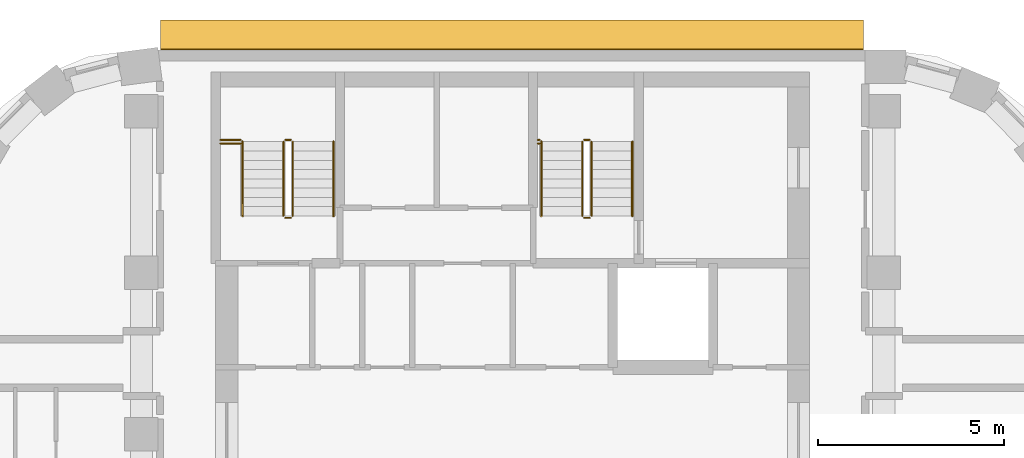
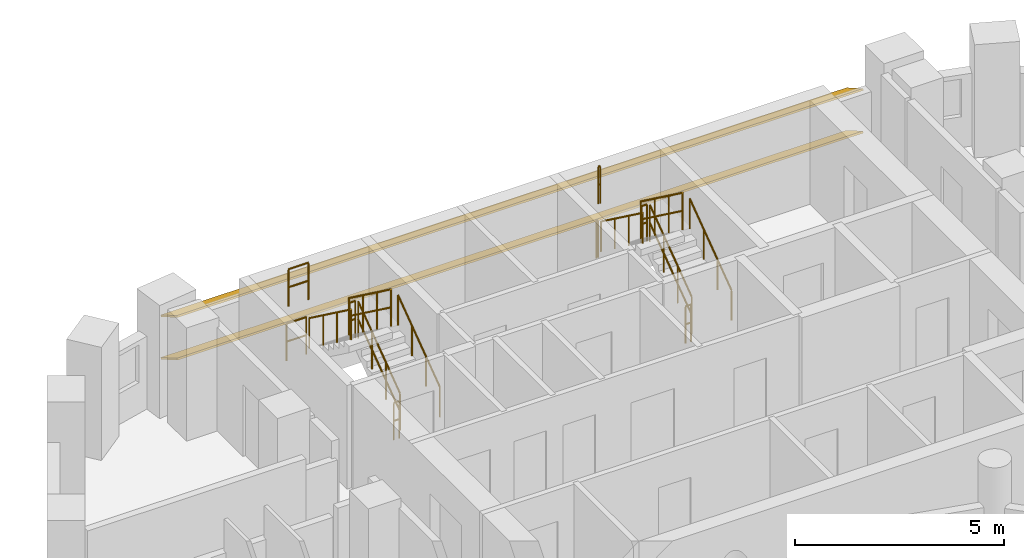
# One storey, part 13 of 13: 16 railings, 2 shading devices.
"""IFC4 building model written with IfcOpenShell, lengths in metres."""

from ifc_helpers import new_model, si_unit, direction, frame, origin, origin_2d, place, context, subcontext, project, spatial, rectangle, circle, extrude, material, material_profile, profile_set, type_object, element, save


model = new_model("IFC4")

# Units and contexts
model_context = context("Model", 3, precision=1e-05, world=origin(), true_north=direction((0.0, 1.0)))
body_context = subcontext(model_context, "Body", "Model", "MODEL_VIEW")
ifc_project = project(units=[si_unit("LENGTHUNIT", "METRE"), si_unit("AREAUNIT", "SQUARE_METRE"), si_unit("VOLUMEUNIT", "CUBIC_METRE"), si_unit("PLANEANGLEUNIT", "RADIAN"), si_unit("MASSUNIT", "GRAM", prefix="KILO")], contexts=[model_context])

# Site, building, storey
site_placement = place(None, origin())
site = spatial("IfcSite", under=ifc_project, at=site_placement, CompositionType="ELEMENT")
building_placement = place(site_placement, origin())
building = spatial("IfcBuilding", under=site, at=building_placement, Name="Nakaniwa Court", CompositionType="ELEMENT")
storey_placement = place(building_placement, frame((0.0, 0.0, 269.10009765625)))
storey = spatial("IfcBuildingStorey", under=building, at=storey_placement, Name="L71", CompositionType="ELEMENT", Elevation=269.10009765625)

# Shading devices
ifc_material_1 = material(Name="Perforated charcoal ceramic louvre blade")
ifc_material_profile = material_profile(ifc_material_1, rectangle(XDim=0.89990234375, YDim=0.050048828125, at=origin_2d()), Name="Perforated ceramic louvre blade")
ifc_profile_set = profile_set([ifc_material_profile], Name="Perforated charcoal ceramic louvre blade")
shading_device_type = type_object("IfcShadingDeviceType", Name="Perforated ceramic louvre blade", PredefinedType="JALOUSIE", material=ifc_profile_set)
for number, where, z_axis, x_axis, name in (
    (1, (89.44921875, 103.05224609375, 0.5498046875), (-1.0, 0.0, 0.0), (0.0, -0.866025403784, 0.5), "L71 perforated ceramic louvre blade w08 1"),
    (2, (89.44921875, 103.05224609375, 1.793212890625), (-1.0, 0.0, 0.0), (0.0, -0.866025403784, 0.5), "L71 perforated ceramic louvre blade w08 2"),
):
    element("IfcShadingDevice", number, at=place(storey_placement, frame(where, z_axis=z_axis, x_axis=x_axis)), inside=storey, type_object=shading_device_type, Name=name, PredefinedType="JALOUSIE", context=body_context, shape_type="SweptSolid", body=[
        extrude(rectangle(XDim=0.89990234375, YDim=0.050048828125, at=origin_2d()), origin(), (0.0, 0.0, 1.0), 18.933349609375),
    ])

# Railings
ifc_material_2 = material(Name="Black powder coated steel guard", Category="steel")
railing_type_1 = type_object("IfcRailingType", Name="Stair guard 1100", PredefinedType="GUARDRAIL", material=ifc_material_2)
railing_1_placement = place(storey_placement, frame((74.074951171875, 98.175048828125, 0.183349609375)))
element("IfcRailing", 3, at=railing_1_placement, inside=storey, type_object=railing_type_1, Name="L71 ST1 stair guard 1", PredefinedType="GUARDRAIL", context=body_context, shape_type="SweptSolid", body=[
    extrude(circle(Radius=0.02392578125, at=origin_2d()), frame((0.0, 0.0, 1.076171875), z_axis=(0.0, 0.806426902644, 0.591333789573), x_axis=(-1.0, 0.0, 0.0)), (0.0, 0.0, 1.0), 2.47998046875),
    extrude(circle(Radius=0.02392578125, at=origin_2d()), frame((0.0, 0.0, 0.550048828125), z_axis=(0.0, 0.806426902644, 0.591333789573), x_axis=(-1.0, 0.0, 0.0)), (0.0, 0.0, 1.0), 2.47998046875),
    extrude(circle(Radius=0.02099609375, at=origin_2d()), origin(), (0.0, 0.0, 1.0), 1.052001953125),
    extrude(circle(Radius=0.02099609375, at=origin_2d()), frame((0.0, 0.666748046875, 0.48876953125)), (0.0, 0.0, 1.0), 1.052001953125),
    extrude(circle(Radius=0.02099609375, at=origin_2d()), frame((0.0, 1.333251953125, 0.977783203125)), (0.0, 0.0, 1.0), 1.052001953125),
    extrude(circle(Radius=0.02099609375, at=origin_2d()), frame((0.0, 2.0, 1.466552734375)), (0.0, 0.0, 1.0), 1.052001953125),
])
railing_2_placement = place(storey_placement, frame((74.02490234375, 100.22509765625, 1.64990234375)))
element("IfcRailing", 4, at=railing_2_placement, inside=storey, type_object=railing_type_1, Name="L71 ST1 stair guard 2", PredefinedType="GUARDRAIL", context=body_context, shape_type="SweptSolid", body=[
    extrude(circle(Radius=0.02392578125, at=origin_2d()), frame((0.0, 0.0, 1.076171875), z_axis=(-1.0, 0.0, 0.0), x_axis=(0.0, -1.0, 0.0)), (0.0, 0.0, 1.0), 0.14990234375),
    extrude(circle(Radius=0.02392578125, at=origin_2d()), frame((0.0, 0.0, 0.550048828125), z_axis=(-1.0, 0.0, 0.0), x_axis=(0.0, -1.0, 0.0)), (0.0, 0.0, 1.0), 0.14990234375),
    extrude(circle(Radius=0.02099609375, at=origin_2d()), origin(), (0.0, 0.0, 1.0), 1.052001953125),
    extrude(circle(Radius=0.02099609375, at=origin_2d()), frame((-0.14990234375, 0.0, 0.0)), (0.0, 0.0, 1.0), 1.052001953125),
])
railing_3_placement = place(storey_placement, frame((73.824951171875, 100.175048828125, 1.833251953125)))
element("IfcRailing", 5, at=railing_3_placement, inside=storey, type_object=railing_type_1, Name="L71 ST1 stair guard 3", PredefinedType="GUARDRAIL", context=body_context, shape_type="SweptSolid", body=[
    extrude(circle(Radius=0.02392578125, at=origin_2d()), frame((0.0, 0.0, 1.076171875), z_axis=(0.0, -0.806426902644, 0.591333789573), x_axis=(1.0, 0.0, 0.0)), (0.0, 0.0, 1.0), 2.47998046875),
    extrude(circle(Radius=0.02392578125, at=origin_2d()), frame((0.0, 0.0, 0.550048828125), z_axis=(0.0, -0.806426902644, 0.591333789573), x_axis=(1.0, 0.0, 0.0)), (0.0, 0.0, 1.0), 2.47998046875),
    extrude(circle(Radius=0.02099609375, at=origin_2d()), origin(), (0.0, 0.0, 1.0), 1.052001953125),
    extrude(circle(Radius=0.02099609375, at=origin_2d()), frame((0.0, -0.666748046875, 0.48876953125)), (0.0, 0.0, 1.0), 1.052001953125),
    extrude(circle(Radius=0.02099609375, at=origin_2d()), frame((0.0, -1.333251953125, 0.977783203125)), (0.0, 0.0, 1.0), 1.052001953125),
    extrude(circle(Radius=0.02099609375, at=origin_2d()), frame((0.0, -2.0, 1.466552734375)), (0.0, 0.0, 1.0), 1.052001953125),
])
railing_4_placement = place(storey_placement, frame((74.02490234375, 98.125, 0.0)))
element("IfcRailing", 6, at=railing_4_placement, inside=storey, type_object=railing_type_1, Name="L71 ST1 stair guard 4", PredefinedType="GUARDRAIL", context=body_context, shape_type="SweptSolid", body=[
    extrude(circle(Radius=0.02392578125, at=origin_2d()), frame((0.0, 0.0, 1.076171875), z_axis=(-1.0, 0.0, 0.0), x_axis=(0.0, -1.0, 0.0)), (0.0, 0.0, 1.0), 0.14990234375),
    extrude(circle(Radius=0.02392578125, at=origin_2d()), frame((0.0, 0.0, 0.550048828125), z_axis=(-1.0, 0.0, 0.0), x_axis=(0.0, -1.0, 0.0)), (0.0, 0.0, 1.0), 0.14990234375),
    extrude(circle(Radius=0.02099609375, at=origin_2d()), origin(), (0.0, 0.0, 1.0), 1.052001953125),
    extrude(circle(Radius=0.02099609375, at=origin_2d()), frame((-0.14990234375, 0.0, 0.0)), (0.0, 0.0, 1.0), 1.052001953125),
])
for number, where, name in (
    (7, (72.125, 100.22509765625, 1.64990234375), "L71 ST1 landing side guard 1W"),
    (8, (72.125, 100.125, 3.2998046875), "L71 ST1 floor edge guard 1W"),
):
    element("IfcRailing", number, at=place(storey_placement, frame(where)), inside=storey, type_object=railing_type_1, Name=name, PredefinedType="GUARDRAIL", context=body_context, shape_type="SweptSolid", body=[
        extrude(circle(Radius=0.02392578125, at=origin_2d()), frame((0.0, 0.0, 1.076171875), z_axis=(1.0, 0.0, 0.0), x_axis=(0.0, 1.0, 0.0)), (0.0, 0.0, 1.0), 0.550048828125),
        extrude(circle(Radius=0.02392578125, at=origin_2d()), frame((0.0, 0.0, 0.550048828125), z_axis=(1.0, 0.0, 0.0), x_axis=(0.0, 1.0, 0.0)), (0.0, 0.0, 1.0), 0.550048828125),
        extrude(circle(Radius=0.02099609375, at=origin_2d()), origin(), (0.0, 0.0, 1.0), 1.052001953125),
        extrude(circle(Radius=0.02099609375, at=origin_2d()), frame((0.550048828125, 0.0, 0.0)), (0.0, 0.0, 1.0), 1.052001953125),
    ])
railing_5_placement = place(storey_placement, frame((82.125, 98.175048828125, 0.183349609375)))
element("IfcRailing", 9, at=railing_5_placement, inside=storey, type_object=railing_type_1, Name="L71 ST2 stair guard 1", PredefinedType="GUARDRAIL", context=body_context, shape_type="SweptSolid", body=[
    extrude(circle(Radius=0.02392578125, at=origin_2d()), frame((0.0, 0.0, 1.076171875), z_axis=(0.0, 0.806426902644, 0.591333789573), x_axis=(-1.0, 0.0, 0.0)), (0.0, 0.0, 1.0), 2.47998046875),
    extrude(circle(Radius=0.02392578125, at=origin_2d()), frame((0.0, 0.0, 0.550048828125), z_axis=(0.0, 0.806426902644, 0.591333789573), x_axis=(-1.0, 0.0, 0.0)), (0.0, 0.0, 1.0), 2.47998046875),
    extrude(circle(Radius=0.02099609375, at=origin_2d()), origin(), (0.0, 0.0, 1.0), 1.052001953125),
    extrude(circle(Radius=0.02099609375, at=origin_2d()), frame((0.0, 0.666748046875, 0.48876953125)), (0.0, 0.0, 1.0), 1.052001953125),
    extrude(circle(Radius=0.02099609375, at=origin_2d()), frame((0.0, 1.333251953125, 0.977783203125)), (0.0, 0.0, 1.0), 1.052001953125),
    extrude(circle(Radius=0.02099609375, at=origin_2d()), frame((0.0, 2.0, 1.466552734375)), (0.0, 0.0, 1.0), 1.052001953125),
])
railing_6_placement = place(storey_placement, frame((82.074951171875, 100.22509765625, 1.64990234375)))
element("IfcRailing", 10, at=railing_6_placement, inside=storey, type_object=railing_type_1, Name="L71 ST2 stair guard 2", PredefinedType="GUARDRAIL", context=body_context, shape_type="SweptSolid", body=[
    extrude(circle(Radius=0.02392578125, at=origin_2d()), frame((0.0, 0.0, 1.076171875), z_axis=(-1.0, 0.0, 0.0), x_axis=(0.0, -1.0, 0.0)), (0.0, 0.0, 1.0), 0.14990234375),
    extrude(circle(Radius=0.02392578125, at=origin_2d()), frame((0.0, 0.0, 0.550048828125), z_axis=(-1.0, 0.0, 0.0), x_axis=(0.0, -1.0, 0.0)), (0.0, 0.0, 1.0), 0.14990234375),
    extrude(circle(Radius=0.02099609375, at=origin_2d()), origin(), (0.0, 0.0, 1.0), 1.052001953125),
    extrude(circle(Radius=0.02099609375, at=origin_2d()), frame((-0.14990234375, 0.0, 0.0)), (0.0, 0.0, 1.0), 1.052001953125),
])
railing_7_placement = place(storey_placement, frame((81.875, 100.175048828125, 1.833251953125)))
element("IfcRailing", 11, at=railing_7_placement, inside=storey, type_object=railing_type_1, Name="L71 ST2 stair guard 3", PredefinedType="GUARDRAIL", context=body_context, shape_type="SweptSolid", body=[
    extrude(circle(Radius=0.02392578125, at=origin_2d()), frame((0.0, 0.0, 1.076171875), z_axis=(0.0, -0.806426902644, 0.591333789573), x_axis=(1.0, 0.0, 0.0)), (0.0, 0.0, 1.0), 2.47998046875),
    extrude(circle(Radius=0.02392578125, at=origin_2d()), frame((0.0, 0.0, 0.550048828125), z_axis=(0.0, -0.806426902644, 0.591333789573), x_axis=(1.0, 0.0, 0.0)), (0.0, 0.0, 1.0), 2.47998046875),
    extrude(circle(Radius=0.02099609375, at=origin_2d()), origin(), (0.0, 0.0, 1.0), 1.052001953125),
    extrude(circle(Radius=0.02099609375, at=origin_2d()), frame((0.0, -0.666748046875, 0.48876953125)), (0.0, 0.0, 1.0), 1.052001953125),
    extrude(circle(Radius=0.02099609375, at=origin_2d()), frame((0.0, -1.333251953125, 0.977783203125)), (0.0, 0.0, 1.0), 1.052001953125),
    extrude(circle(Radius=0.02099609375, at=origin_2d()), frame((0.0, -2.0, 1.466552734375)), (0.0, 0.0, 1.0), 1.052001953125),
])
railing_8_placement = place(storey_placement, frame((82.074951171875, 98.125, 0.0)))
element("IfcRailing", 12, at=railing_8_placement, inside=storey, type_object=railing_type_1, Name="L71 ST2 stair guard 4", PredefinedType="GUARDRAIL", context=body_context, shape_type="SweptSolid", body=[
    extrude(circle(Radius=0.02392578125, at=origin_2d()), frame((0.0, 0.0, 1.076171875), z_axis=(-1.0, 0.0, 0.0), x_axis=(0.0, -1.0, 0.0)), (0.0, 0.0, 1.0), 0.14990234375),
    extrude(circle(Radius=0.02392578125, at=origin_2d()), frame((0.0, 0.0, 0.550048828125), z_axis=(-1.0, 0.0, 0.0), x_axis=(0.0, -1.0, 0.0)), (0.0, 0.0, 1.0), 0.14990234375),
    extrude(circle(Radius=0.02099609375, at=origin_2d()), origin(), (0.0, 0.0, 1.0), 1.052001953125),
    extrude(circle(Radius=0.02099609375, at=origin_2d()), frame((-0.14990234375, 0.0, 0.0)), (0.0, 0.0, 1.0), 1.052001953125),
])
for number, where, name in (
    (13, (80.675048828125, 100.22509765625, 1.64990234375), "L71 ST2 landing side guard 1W"),
    (14, (80.675048828125, 100.125, 3.2998046875), "L71 ST2 floor edge guard 1W"),
):
    element("IfcRailing", number, at=place(storey_placement, frame(where)), inside=storey, type_object=railing_type_1, Name=name, PredefinedType="GUARDRAIL", context=body_context, shape_type="SweptSolid", body=[
        extrude(circle(Radius=0.02392578125, at=origin_2d()), frame((0.0, 0.0, 1.076171875), z_axis=(1.0, 0.0, 0.0), x_axis=(0.0, 1.0, 0.0)), (0.0, 0.0, 1.0), 0.050048828125),
        extrude(circle(Radius=0.02392578125, at=origin_2d()), frame((0.0, 0.0, 0.550048828125), z_axis=(1.0, 0.0, 0.0), x_axis=(0.0, 1.0, 0.0)), (0.0, 0.0, 1.0), 0.050048828125),
        extrude(circle(Radius=0.02099609375, at=origin_2d()), origin(), (0.0, 0.0, 1.0), 1.052001953125),
        extrude(circle(Radius=0.02099609375, at=origin_2d()), frame((0.050048828125, 0.0, 0.0)), (0.0, 0.0, 1.0), 1.052001953125),
    ])
ifc_material_3 = material(Name="Black powder coated steel handrail", Category="steel")
railing_type_2 = type_object("IfcRailingType", Name="Stair handrail 900", PredefinedType="HANDRAIL", material=ifc_material_3)
railing_9_placement = place(storey_placement, frame((75.175048828125, 98.175048828125, 0.183349609375)))
element("IfcRailing", 15, at=railing_9_placement, inside=storey, type_object=railing_type_2, Name="L71 ST1 stair handrail 1", PredefinedType="HANDRAIL", context=body_context, shape_type="SweptSolid", body=[
    extrude(circle(Radius=0.02392578125, at=origin_2d()), frame((0.0, 0.0, 0.8759765625), z_axis=(0.0, 0.806426902644, 0.591333789573), x_axis=(-1.0, 0.0, 0.0)), (0.0, 0.0, 1.0), 2.47998046875),
    extrude(circle(Radius=0.02099609375, at=origin_2d()), origin(), (0.0, 0.0, 1.0), 0.851806640625),
    extrude(circle(Radius=0.02099609375, at=origin_2d()), frame((0.0, 0.666748046875, 0.48876953125)), (0.0, 0.0, 1.0), 0.851806640625),
    extrude(circle(Radius=0.02099609375, at=origin_2d()), frame((0.0, 1.333251953125, 0.977783203125)), (0.0, 0.0, 1.0), 0.851806640625),
    extrude(circle(Radius=0.02099609375, at=origin_2d()), frame((0.0, 2.0, 1.466552734375)), (0.0, 0.0, 1.0), 0.851806640625),
])
railing_10_placement = place(storey_placement, frame((72.72509765625, 100.175048828125, 1.833251953125)))
element("IfcRailing", 16, at=railing_10_placement, inside=storey, type_object=railing_type_2, Name="L71 ST1 stair handrail 2", PredefinedType="HANDRAIL", context=body_context, shape_type="SweptSolid", body=[
    extrude(circle(Radius=0.02392578125, at=origin_2d()), frame((0.0, 0.0, 0.8759765625), z_axis=(0.0, -0.806426902644, 0.591333789573), x_axis=(1.0, 0.0, 0.0)), (0.0, 0.0, 1.0), 2.47998046875),
    extrude(circle(Radius=0.02099609375, at=origin_2d()), origin(), (0.0, 0.0, 1.0), 0.851806640625),
    extrude(circle(Radius=0.02099609375, at=origin_2d()), frame((0.0, -0.666748046875, 0.48876953125)), (0.0, 0.0, 1.0), 0.851806640625),
    extrude(circle(Radius=0.02099609375, at=origin_2d()), frame((0.0, -1.333251953125, 0.977783203125)), (0.0, 0.0, 1.0), 0.851806640625),
    extrude(circle(Radius=0.02099609375, at=origin_2d()), frame((0.0, -2.0, 1.466552734375)), (0.0, 0.0, 1.0), 0.851806640625),
])
railing_11_placement = place(storey_placement, frame((83.22509765625, 98.175048828125, 0.183349609375)))
element("IfcRailing", 17, at=railing_11_placement, inside=storey, type_object=railing_type_2, Name="L71 ST2 stair handrail 1", PredefinedType="HANDRAIL", context=body_context, shape_type="SweptSolid", body=[
    extrude(circle(Radius=0.02392578125, at=origin_2d()), frame((0.0, 0.0, 0.8759765625), z_axis=(0.0, 0.806426902644, 0.591333789573), x_axis=(-1.0, 0.0, 0.0)), (0.0, 0.0, 1.0), 2.47998046875),
    extrude(circle(Radius=0.02099609375, at=origin_2d()), origin(), (0.0, 0.0, 1.0), 0.851806640625),
    extrude(circle(Radius=0.02099609375, at=origin_2d()), frame((0.0, 0.666748046875, 0.48876953125)), (0.0, 0.0, 1.0), 0.851806640625),
    extrude(circle(Radius=0.02099609375, at=origin_2d()), frame((0.0, 1.333251953125, 0.977783203125)), (0.0, 0.0, 1.0), 0.851806640625),
    extrude(circle(Radius=0.02099609375, at=origin_2d()), frame((0.0, 2.0, 1.466552734375)), (0.0, 0.0, 1.0), 0.851806640625),
])
railing_12_placement = place(storey_placement, frame((80.77490234375, 100.175048828125, 1.833251953125)))
element("IfcRailing", 18, at=railing_12_placement, inside=storey, type_object=railing_type_2, Name="L71 ST2 stair handrail 2", PredefinedType="HANDRAIL", context=body_context, shape_type="SweptSolid", body=[
    extrude(circle(Radius=0.02392578125, at=origin_2d()), frame((0.0, 0.0, 0.8759765625), z_axis=(0.0, -0.806426902644, 0.591333789573), x_axis=(1.0, 0.0, 0.0)), (0.0, 0.0, 1.0), 2.47998046875),
    extrude(circle(Radius=0.02099609375, at=origin_2d()), origin(), (0.0, 0.0, 1.0), 0.851806640625),
    extrude(circle(Radius=0.02099609375, at=origin_2d()), frame((0.0, -0.666748046875, 0.48876953125)), (0.0, 0.0, 1.0), 0.851806640625),
    extrude(circle(Radius=0.02099609375, at=origin_2d()), frame((0.0, -1.333251953125, 0.977783203125)), (0.0, 0.0, 1.0), 0.851806640625),
    extrude(circle(Radius=0.02099609375, at=origin_2d()), frame((0.0, -2.0, 1.466552734375)), (0.0, 0.0, 1.0), 0.851806640625),
])

save(model, "model.ifc")
